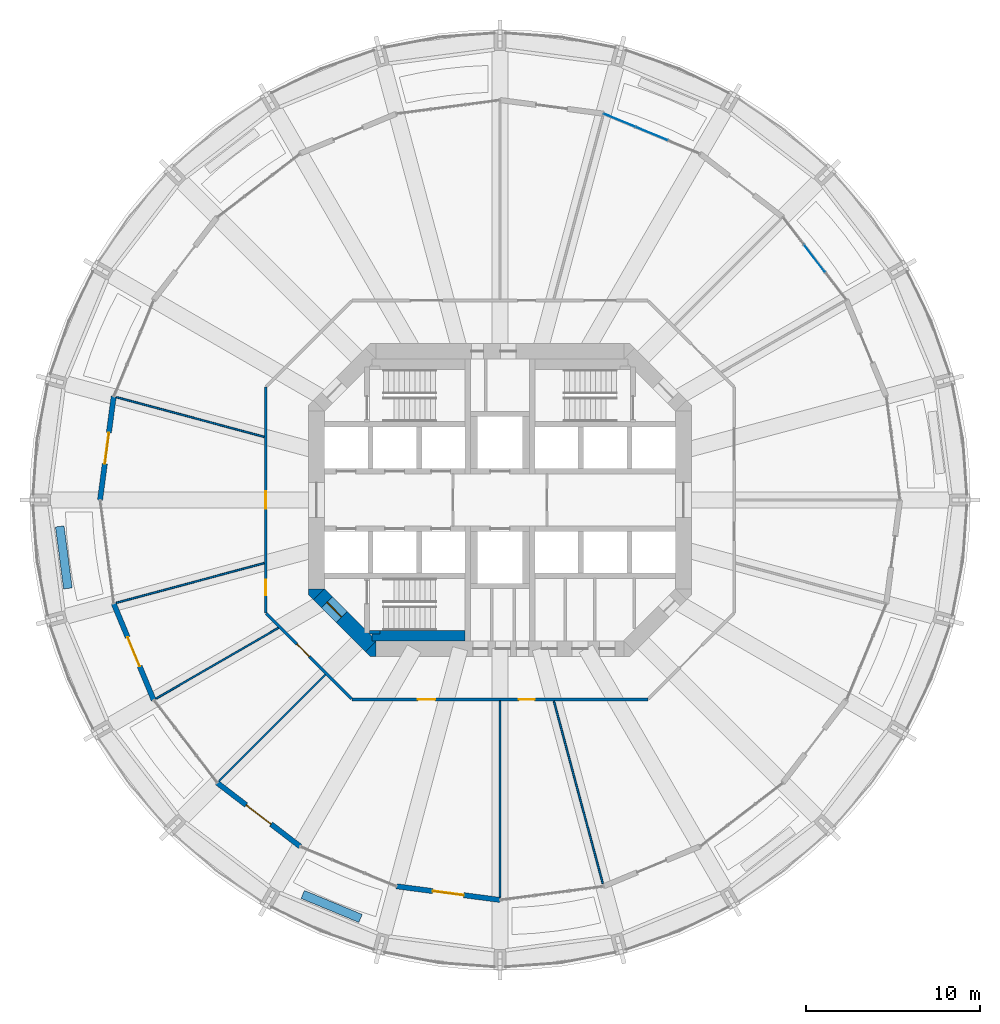
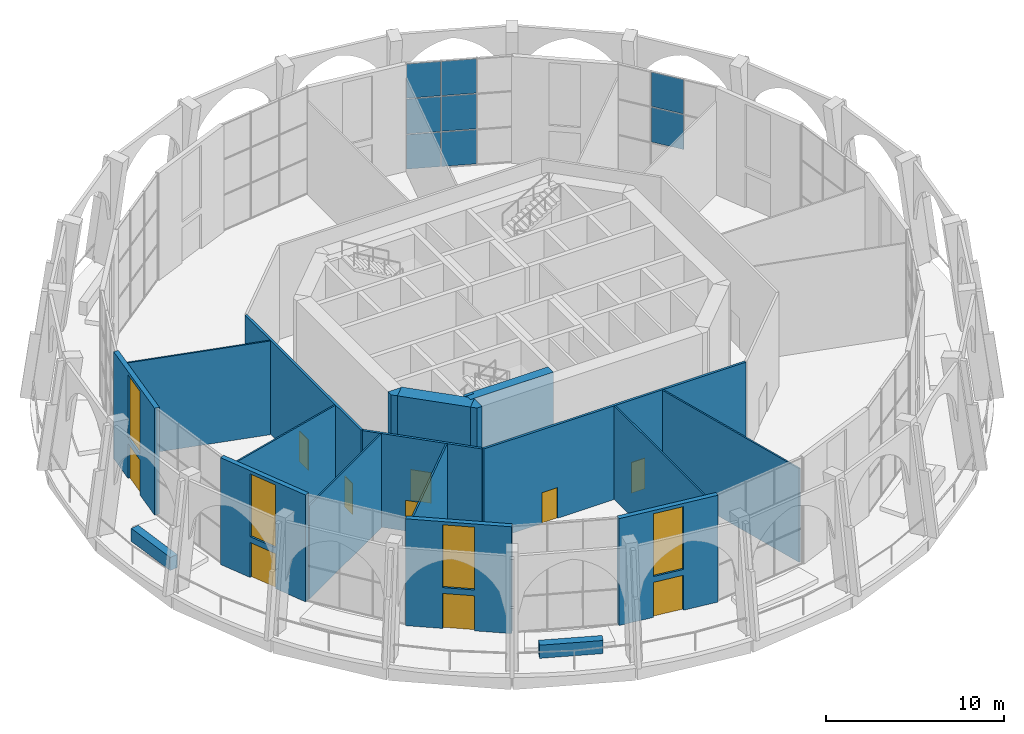
# One storey, part 12 of 19: 20 walls, 10 doors, 8 plates, 4 windows, 14 openings, 2 elements without a shape of their own.
"""IFC4 building model written with IfcOpenShell, lengths in metres."""

from ifc_helpers import new_model, si_unit, direction, frame, frame_2d, origin, origin_2d, place, context, subcontext, project, spatial, polyline, rectangle, outline, extrude, material, layer, layer_set, type_object, element, fill, aggregate, save


model = new_model("IFC4")

# Units and contexts
model_context = context("Model", 3, precision=1e-05, world=origin(), true_north=direction((0.0, 1.0)))
body_context = subcontext(model_context, "Body", "Model", "MODEL_VIEW")
ifc_project = project(units=[si_unit("LENGTHUNIT", "METRE"), si_unit("AREAUNIT", "SQUARE_METRE"), si_unit("VOLUMEUNIT", "CUBIC_METRE"), si_unit("PLANEANGLEUNIT", "RADIAN"), si_unit("MASSUNIT", "GRAM", prefix="KILO")], contexts=[model_context])

# Site, building, storey
site_placement = place(None, origin())
site = spatial("IfcSite", under=ifc_project, at=site_placement, CompositionType="ELEMENT")
building_placement = place(site_placement, origin())
building = spatial("IfcBuilding", under=site, at=building_placement, Name="Torre Triforio", CompositionType="ELEMENT")
storey_placement = place(building_placement, frame((0.0, 0.0, 79.0)))
storey = spatial("IfcBuildingStorey", under=building, at=storey_placement, Name="L17", CompositionType="ELEMENT", Elevation=79.0)

# Curtain wall, plates
ifc_material_1 = material(Name="Aluminium mullion and transom frame with clear laminated glass", Category="aluminium")
curtain_wall_type = type_object("IfcCurtainWallType", Name="Sky garden conservatory wall ECW3", PredefinedType="NOTDEFINED", material=ifc_material_1)
curtain_wall_1_placement = place(storey_placement, origin())
curtain_wall_1 = element("IfcCurtainWall", 1, at=curtain_wall_1_placement, inside=storey, type_object=curtain_wall_type, Name="Conservatory wall L17 bay 03", PredefinedType="NOTDEFINED")
ifc_material_2 = material(Name="Clear laminated glass", Category="glass")
ifc_layer_1 = layer(ifc_material_2, 0.028076171875)
ifc_layer_set_1 = layer_set([ifc_layer_1], Name="Clear laminated glass")
plate_type = type_object("IfcPlateType", Name="ECW3 glass panel 28", PredefinedType="CURTAIN_PANEL", material=ifc_layer_set_1)
plate_1_placement = place(storey_placement, frame((18.091064453125, 13.8818359375, 2.469970703125), z_axis=(0.0, 0.0, 1.0), x_axis=(-0.608752412461, 0.79336025885, 0.0)))
plate_1 = element("IfcPlate", 2, at=plate_1_placement, type_object=plate_type, Name="ECW3 panel 2.2", PredefinedType="CURTAIN_PANEL", context=body_context, shape_type="SweptSolid", body=[
    extrude(rectangle(XDim=1.96142578125, YDim=0.028076171875, at=origin_2d()), origin(), (0.0, 0.0, 1.0), 2.3798828125),
])
plate_2_placement = place(storey_placement, frame((18.091064453125, 13.8818359375, 4.909912109375), z_axis=(0.0, 0.0, 1.0), x_axis=(-0.608752412461, 0.79336025885, 0.0)))
plate_2 = element("IfcPlate", 3, at=plate_2_placement, type_object=plate_type, Name="ECW3 panel 2.3", PredefinedType="CURTAIN_PANEL", context=body_context, shape_type="SweptSolid", body=[
    extrude(rectangle(XDim=1.96142578125, YDim=0.028076171875, at=origin_2d()), origin(), (0.0, 0.0, 1.0), 2.35009765625),
])
aggregate(curtain_wall_1, [plate_1, plate_2])

curtain_wall_2_placement = place(storey_placement, origin())
curtain_wall_2 = element("IfcCurtainWall", 4, at=curtain_wall_2_placement, inside=storey, type_object=curtain_wall_type, Name="Conservatory wall L17 bay 05", PredefinedType="NOTDEFINED")
plate_3_placement = place(storey_placement, frame((8.726318359375, 21.0673828125, 0.06005859375), z_axis=(0.0, 0.0, 1.0), x_axis=(-0.923877952799, 0.382687246105, 0.0)))
plate_3 = element("IfcPlate", 5, at=plate_3_placement, type_object=plate_type, Name="ECW3 panel 2.1", PredefinedType="CURTAIN_PANEL", context=body_context, shape_type="SweptSolid", body=[
    extrude(rectangle(XDim=1.96142578125, YDim=0.028076171875, at=origin_2d()), origin(), (0.0, 0.0, 1.0), 2.35009765625),
])
plate_4_placement = place(storey_placement, frame((8.726318359375, 21.0673828125, 2.469970703125), z_axis=(0.0, 0.0, 1.0), x_axis=(-0.923877952799, 0.382687246105, 0.0)))
plate_4 = element("IfcPlate", 6, at=plate_4_placement, type_object=plate_type, Name="ECW3 panel 2.2", PredefinedType="CURTAIN_PANEL", context=body_context, shape_type="SweptSolid", body=[
    extrude(rectangle(XDim=1.96142578125, YDim=0.028076171875, at=origin_2d()), origin(), (0.0, 0.0, 1.0), 2.3798828125),
])
plate_5_placement = place(storey_placement, frame((8.726318359375, 21.0673828125, 4.909912109375), z_axis=(0.0, 0.0, 1.0), x_axis=(-0.923877952799, 0.382687246105, 0.0)))
plate_5 = element("IfcPlate", 7, at=plate_5_placement, type_object=plate_type, Name="ECW3 panel 2.3", PredefinedType="CURTAIN_PANEL", context=body_context, shape_type="SweptSolid", body=[
    extrude(rectangle(XDim=1.96142578125, YDim=0.028076171875, at=origin_2d()), origin(), (0.0, 0.0, 1.0), 2.35009765625),
])
plate_6_placement = place(storey_placement, frame((6.872802734375, 21.835205078125, 0.06005859375), z_axis=(0.0, 0.0, 1.0), x_axis=(-0.923877952799, 0.382687246105, 0.0)))
plate_6 = element("IfcPlate", 8, at=plate_6_placement, type_object=plate_type, Name="ECW3 panel 3.1", PredefinedType="CURTAIN_PANEL", context=body_context, shape_type="SweptSolid", body=[
    extrude(rectangle(XDim=1.931396484375, YDim=0.028076171875, at=origin_2d()), origin(), (0.0, 0.0, 1.0), 2.35009765625),
])
plate_7_placement = place(storey_placement, frame((6.872802734375, 21.835205078125, 2.469970703125), z_axis=(0.0, 0.0, 1.0), x_axis=(-0.923877952799, 0.382687246105, 0.0)))
plate_7 = element("IfcPlate", 9, at=plate_7_placement, type_object=plate_type, Name="ECW3 panel 3.2", PredefinedType="CURTAIN_PANEL", context=body_context, shape_type="SweptSolid", body=[
    extrude(rectangle(XDim=1.931396484375, YDim=0.028076171875, at=origin_2d()), origin(), (0.0, 0.0, 1.0), 2.3798828125),
])
plate_8_placement = place(storey_placement, frame((6.872802734375, 21.835205078125, 4.909912109375), z_axis=(0.0, 0.0, 1.0), x_axis=(-0.923877952799, 0.382687246105, 0.0)))
plate_8 = element("IfcPlate", 10, at=plate_8_placement, type_object=plate_type, Name="ECW3 panel 3.3", PredefinedType="CURTAIN_PANEL", context=body_context, shape_type="SweptSolid", body=[
    extrude(rectangle(XDim=1.931396484375, YDim=0.028076171875, at=origin_2d()), origin(), (0.0, 0.0, 1.0), 2.35009765625),
])
aggregate(curtain_wall_2, [plate_3, plate_4, plate_5, plate_6, plate_7, plate_8])

# Wall, opening, door
ifc_material_3 = material(Name="Concrete C60", Category="concrete")
ifc_layer_2 = layer(ifc_material_3, 0.89990234375)
ifc_layer_set_2 = layer_set([ifc_layer_2], Name="Concrete C60")
wall_type_1 = type_object("IfcWallType", Name="Core wall 900 mm C60 EI 120", PredefinedType="SHEAR", material=ifc_layer_set_2)
wall_1_placement = place(storey_placement, frame((-7.418212890625, -8.418212890625, -0.280029296875), z_axis=(0.0, 0.0, 1.0), x_axis=(-0.707106781187, 0.707106781187, 0.0)))
wall_1 = element("IfcWall", 11, at=wall_1_placement, inside=storey, type_object=wall_type_1, Name="Core wall", PredefinedType="SHEAR", context=body_context, shape_type="SweptSolid", body=[
    extrude(rectangle(XDim=4.24267578125, YDim=0.89990234375, at=frame_2d((2.121337890625, 0.0))), origin(), (0.0, 0.0, 1.0), 7.60009765625),
])
opening_1_placement = place(wall_1_placement, frame((2.392578125, 0.0, 0.280029296875)))
opening_1 = element("IfcOpeningElement", 12, at=opening_1_placement, cuts=wall_1, Name="Opening ST3-EXIT", PredefinedType="OPENING", context=body_context, shape_type="SweptSolid", body=[
    extrude(rectangle(XDim=1.199951171875, YDim=2.10009765625, at=frame_2d((0.60009765625, 1.050048828125))), frame((0.0, 0.4599609375, 0.0), z_axis=(0.0, -1.0, 0.0), x_axis=(1.0, 0.0, 0.0)), (0.0, 0.0, 1.0), 0.919921875),
])
ifc_material_4 = material(Name="Hollow metal fire door leaf")
door_type_1 = type_object("IfcDoorType", Name="Stair lobby door 1200 x 2100 EI 60", OperationType="NOTDEFINED", PredefinedType="DOOR", material=ifc_material_4)
door_1_placement = place(opening_1_placement, origin())
door_1 = element("IfcDoor", 13, at=door_1_placement, inside=storey, type_object=door_type_1, Name="Core door ST3-EXIT", OperationType="SINGLE_SWING_RIGHT", OverallHeight=2.10009765625, OverallWidth=1.199951171875, PredefinedType="DOOR", context=body_context, shape_type="SweptSolid", body=[
    extrude(rectangle(XDim=1.199951171875, YDim=2.10009765625, at=frame_2d((0.60009765625, 1.050048828125))), frame((0.0, 0.02490234375, 0.0), z_axis=(0.0, -1.0, 0.0), x_axis=(1.0, 0.0, 0.0)), (0.0, 0.0, 1.0), 0.050048828125),
])
fill(opening_1, door_1)

# Walls
wall_2_placement = place(storey_placement, frame((0.0, 0.0, -0.280029296875)))
element("IfcWall", 14, at=wall_2_placement, inside=storey, type_object=wall_type_1, Name="Core wall", PredefinedType="SHEAR", context=body_context, shape_type="SweptSolid", body=[
    extrude(outline(polyline([(-7.472900390625, -9.0), (-7.736328125, -8.736328125), (-7.1298828125, -8.1298828125), (-7.1298828125, -9.0), (-7.472900390625, -9.0)])), origin(), (0.0, 0.0, 1.0), 7.60009765625),
])
wall_3_placement = place(storey_placement, frame((0.0, 0.0, -0.280029296875)))
element("IfcWall", 15, at=wall_3_placement, inside=storey, type_object=wall_type_1, Name="Core wall", PredefinedType="SHEAR", context=body_context, shape_type="SweptSolid", body=[
    extrude(outline(polyline([(-11.0, -5.472900390625), (-11.0, -5.1298828125), (-10.1298828125, -5.1298828125), (-10.736328125, -5.736328125), (-11.0, -5.472900390625)])), origin(), (0.0, 0.0, 1.0), 7.60009765625),
])

# Wall, openings, doors
ifc_material_5 = material(Name="Plasterboard on metal studs")
ifc_layer_3 = layer(ifc_material_5, 0.14990234375)
ifc_layer_set_3 = layer_set([ifc_layer_3], Name="Plasterboard on metal studs")
wall_type_2 = type_object("IfcWallType", Name="Corridor and tenancy wall 150 mm EI 60", PredefinedType="PARTITIONING", material=ifc_layer_set_3)
wall_4_placement = place(storey_placement, frame((8.498046875, -11.47509765625, 0.0), z_axis=(0.0, 0.0, 1.0), x_axis=(-1.0, 0.0, 0.0)))
wall_4 = element("IfcWall", 16, at=wall_4_placement, inside=storey, type_object=wall_type_2, Name="Partition 2", PredefinedType="PARTITIONING", context=body_context, shape_type="SweptSolid", body=[
    extrude(rectangle(XDim=16.99609375, YDim=0.14990234375, at=frame_2d((8.498046875, 0.0))), origin(), (0.0, 0.0, 1.0), 6.419921875),
])
opening_2_placement = place(wall_4_placement, frame((12.221923828125, 0.0, 0.0)))
opening_2 = element("IfcOpeningElement", 17, at=opening_2_placement, cuts=wall_4, Name="Opening G1-09", PredefinedType="OPENING", context=body_context, shape_type="SweptSolid", body=[
    extrude(rectangle(XDim=1.0, YDim=2.10009765625, at=frame_2d((0.5, 1.050048828125))), frame((0.0, 0.0849609375, 0.0), z_axis=(0.0, -1.0, 0.0), x_axis=(1.0, 0.0, 0.0)), (0.0, 0.0, 1.0), 0.169921875),
])
opening_3_placement = place(wall_4_placement, frame((6.509765625, 0.0, 0.0)))
opening_3 = element("IfcOpeningElement", 18, at=opening_3_placement, cuts=wall_4, Name="Opening G1-10", PredefinedType="OPENING", context=body_context, shape_type="SweptSolid", body=[
    extrude(rectangle(XDim=0.89990234375, YDim=2.10009765625, at=frame_2d((0.449951171875, 1.050048828125))), frame((0.0, 0.0849609375, 0.0), z_axis=(0.0, -1.0, 0.0), x_axis=(1.0, 0.0, 0.0)), (0.0, 0.0, 1.0), 0.169921875),
])
ifc_material_6 = material(Name="Timber", Category="wood")
door_type_2 = type_object("IfcDoorType", Name="Door 1000 x 2100 single leaf EI 30", OperationType="NOTDEFINED", PredefinedType="DOOR", material=ifc_material_6)
door_2_placement = place(opening_2_placement, origin())
door_2 = element("IfcDoor", 19, at=door_2_placement, inside=storey, type_object=door_type_2, Name="Door G1-09", OperationType="SINGLE_SWING_LEFT", OverallHeight=2.10009765625, OverallWidth=1.0, PredefinedType="DOOR", context=body_context, shape_type="SweptSolid", body=[
    extrude(rectangle(XDim=1.0, YDim=2.10009765625, at=frame_2d((0.5, 1.050048828125))), frame((0.0, 0.02490234375, 0.0), z_axis=(0.0, -1.0, 0.0), x_axis=(1.0, 0.0, 0.0)), (0.0, 0.0, 1.0), 0.050048828125),
])
fill(opening_2, door_2)
door_type_3 = type_object("IfcDoorType", Name="Door 900 x 2100 single leaf EI 30", OperationType="NOTDEFINED", PredefinedType="DOOR", material=ifc_material_6)
door_3_placement = place(opening_3_placement, origin())
door_3 = element("IfcDoor", 20, at=door_3_placement, inside=storey, type_object=door_type_3, Name="Door G1-10", OperationType="SINGLE_SWING_RIGHT", OverallHeight=2.10009765625, OverallWidth=0.89990234375, PredefinedType="DOOR", context=body_context, shape_type="SweptSolid", body=[
    extrude(rectangle(XDim=0.89990234375, YDim=2.10009765625, at=frame_2d((0.449951171875, 1.050048828125))), frame((0.0, 0.02490234375, 0.0), z_axis=(0.0, -1.0, 0.0), x_axis=(1.0, 0.0, 0.0)), (0.0, 0.0, 1.0), 0.050048828125),
])
fill(opening_3, door_3)

# Wall, opening, door
wall_5_placement = place(storey_placement, frame((-8.53515625, -11.43798828125, 0.0), z_axis=(0.0, 0.0, 1.0), x_axis=(-0.707106781187, 0.707106781187, 0.0)))
wall_5 = element("IfcWall", 21, at=wall_5_placement, inside=storey, type_object=wall_type_2, Name="Partition 3", PredefinedType="PARTITIONING", context=body_context, shape_type="SweptSolid", body=[
    extrude(rectangle(XDim=6.93359375, YDim=0.14990234375, at=frame_2d((3.466796875, 0.0))), origin(), (0.0, 0.0, 1.0), 6.419921875),
])
opening_4_placement = place(wall_5_placement, frame((3.445556640625, 0.0, 0.0)))
opening_4 = element("IfcOpeningElement", 22, at=opening_4_placement, cuts=wall_5, Name="Opening G1-08", PredefinedType="OPENING", context=body_context, shape_type="SweptSolid", body=[
    extrude(rectangle(XDim=1.0, YDim=2.10009765625, at=frame_2d((0.5, 1.050048828125))), frame((0.0, 0.0849609375, 0.0), z_axis=(0.0, -1.0, 0.0), x_axis=(1.0, 0.0, 0.0)), (0.0, 0.0, 1.0), 0.169921875),
])
door_4_placement = place(opening_4_placement, origin())
door_4 = element("IfcDoor", 23, at=door_4_placement, inside=storey, type_object=door_type_2, Name="Door G1-08", OperationType="SINGLE_SWING_LEFT", OverallHeight=2.10009765625, OverallWidth=1.0, PredefinedType="DOOR", context=body_context, shape_type="SweptSolid", body=[
    extrude(rectangle(XDim=1.0, YDim=2.10009765625, at=frame_2d((0.5, 1.050048828125))), frame((0.0, 0.02490234375, 0.0), z_axis=(0.0, -1.0, 0.0), x_axis=(1.0, 0.0, 0.0)), (0.0, 0.0, 1.0), 0.050048828125),
])
fill(opening_4, door_4)

# Wall, openings, doors
wall_6_placement = place(storey_placement, frame((-13.47509765625, -6.498046875, 0.0), z_axis=(0.0, 0.0, 1.0), x_axis=(0.0, 1.0, 0.0)))
wall_6 = element("IfcWall", 24, at=wall_6_placement, inside=storey, type_object=wall_type_2, Name="Partition 4", PredefinedType="PARTITIONING", context=body_context, shape_type="SweptSolid", body=[
    extrude(rectangle(XDim=12.99609375, YDim=0.14990234375, at=frame_2d((6.498046875, 0.0))), origin(), (0.0, 0.0, 1.0), 6.419921875),
])
opening_5_placement = place(wall_6_placement, frame((5.998046875, 0.0, 0.0)))
opening_5 = element("IfcOpeningElement", 25, at=opening_5_placement, cuts=wall_6, Name="Opening G1-06", PredefinedType="OPENING", context=body_context, shape_type="SweptSolid", body=[
    extrude(rectangle(XDim=1.0, YDim=2.10009765625, at=frame_2d((0.5, 1.050048828125))), frame((0.0, 0.0849609375, 0.0), z_axis=(0.0, -1.0, 0.0), x_axis=(1.0, 0.0, 0.0)), (0.0, 0.0, 1.0), 0.169921875),
])
opening_6_placement = place(wall_6_placement, frame((1.018798828125, 0.0, 0.0)))
opening_6 = element("IfcOpeningElement", 26, at=opening_6_placement, cuts=wall_6, Name="Opening G1-07", PredefinedType="OPENING", context=body_context, shape_type="SweptSolid", body=[
    extrude(rectangle(XDim=0.89990234375, YDim=2.10009765625, at=frame_2d((0.449951171875, 1.050048828125))), frame((0.0, 0.0849609375, 0.0), z_axis=(0.0, -1.0, 0.0), x_axis=(1.0, 0.0, 0.0)), (0.0, 0.0, 1.0), 0.169921875),
])
door_5_placement = place(opening_5_placement, origin())
door_5 = element("IfcDoor", 27, at=door_5_placement, inside=storey, type_object=door_type_2, Name="Door G1-06", OperationType="SINGLE_SWING_LEFT", OverallHeight=2.10009765625, OverallWidth=1.0, PredefinedType="DOOR", context=body_context, shape_type="SweptSolid", body=[
    extrude(rectangle(XDim=1.0, YDim=2.10009765625, at=frame_2d((0.5, 1.050048828125))), frame((0.0, 0.02490234375, 0.0), z_axis=(0.0, -1.0, 0.0), x_axis=(1.0, 0.0, 0.0)), (0.0, 0.0, 1.0), 0.050048828125),
])
fill(opening_5, door_5)
door_6_placement = place(opening_6_placement, origin())
door_6 = element("IfcDoor", 28, at=door_6_placement, inside=storey, type_object=door_type_3, Name="Door G1-07", OperationType="SINGLE_SWING_LEFT", OverallHeight=2.10009765625, OverallWidth=0.89990234375, PredefinedType="DOOR", context=body_context, shape_type="SweptSolid", body=[
    extrude(rectangle(XDim=0.89990234375, YDim=2.10009765625, at=frame_2d((0.449951171875, 1.050048828125))), frame((0.0, 0.02490234375, 0.0), z_axis=(0.0, -1.0, 0.0), x_axis=(1.0, 0.0, 0.0)), (0.0, 0.0, 1.0), 0.050048828125),
])
fill(opening_6, door_6)

# Walls
ifc_layer_4 = layer(ifc_material_5, 0.10009765625)
ifc_layer_set_4 = layer_set([ifc_layer_4], Name="Plasterboard on metal studs")
wall_type_3 = type_object("IfcWallType", Name="Partition 100 mm board on metal studs", PredefinedType="PARTITIONING", material=ifc_layer_set_4)
for number, where, z_axis, x_axis, name in (
    (29, (-13.564208984375, 3.634521484375, 0.0), (0.0, 0.0, 1.0), (-0.965924134536, 0.25882535873, 0.0), "Partition 14"),
    (30, (-13.564208984375, -3.634521484375, 0.0), (0.0, 0.0, 1.0), (-0.965924134536, -0.25882535873, 0.0), "Partition 15"),
):
    element("IfcWall", number, at=place(storey_placement, frame(where, z_axis=z_axis, x_axis=x_axis)), inside=storey, type_object=wall_type_3, Name=name, PredefinedType="PARTITIONING", context=body_context, shape_type="SweptSolid", body=[
        extrude(rectangle(XDim=8.7939453125, YDim=0.10009765625, at=frame_2d((4.39697265625, 0.0))), origin(), (0.0, 0.0, 1.0), 6.419921875),
    ])
wall_7_placement = place(storey_placement, frame((-12.742431640625, -7.35693359375, 0.0), z_axis=(0.0, 0.0, 1.0), x_axis=(-0.866022418986, -0.500005169787, 0.0)))
element("IfcWall", 31, at=wall_7_placement, inside=storey, type_object=wall_type_3, Name="Partition 16", PredefinedType="PARTITIONING", context=body_context, shape_type="SweptSolid", body=[
    extrude(rectangle(XDim=8.123046875, YDim=0.10009765625, at=frame_2d((4.0615234375, 0.0))), origin(), (0.0, 0.0, 1.0), 6.419921875),
])
wall_8_placement = place(storey_placement, frame((-10.03955078125, -10.03955078125, 0.0), z_axis=(0.0, 0.0, 1.0), x_axis=(-0.707106781187, -0.707106781187, 0.0)))
element("IfcWall", 32, at=wall_8_placement, inside=storey, type_object=wall_type_3, Name="Partition 17", PredefinedType="PARTITIONING", context=body_context, shape_type="SweptSolid", body=[
    extrude(rectangle(XDim=8.638671875, YDim=0.10009765625, at=frame_2d((4.3193359375, 0.0))), origin(), (0.0, 0.0, 1.0), 6.419921875),
])
wall_9_placement = place(storey_placement, frame((0.0, -11.550048828125, 0.0), z_axis=(0.0, 0.0, 1.0), x_axis=(0.0, -1.0, 0.0)))
element("IfcWall", 33, at=wall_9_placement, inside=storey, type_object=wall_type_3, Name="Partition 18", PredefinedType="PARTITIONING", context=body_context, shape_type="SweptSolid", body=[
    extrude(rectangle(XDim=11.28662109375, YDim=0.10009765625, at=frame_2d((5.643310546875, 0.0))), origin(), (0.0, 0.0, 1.0), 6.419921875),
])
wall_10_placement = place(storey_placement, frame((3.0986328125, -11.564208984375, 0.0), z_axis=(0.0, 0.0, 1.0), x_axis=(0.258823321379, -0.965924680454, 0.0)))
element("IfcWall", 34, at=wall_10_placement, inside=storey, type_object=wall_type_3, Name="Partition 19", PredefinedType="PARTITIONING", context=body_context, shape_type="SweptSolid", body=[
    extrude(rectangle(XDim=10.864501953125, YDim=0.10009765625, at=frame_2d((5.43212890625, 0.0))), origin(), (0.0, 0.0, 1.0), 6.419921875),
])
ifc_material_7 = material(Name="Limestone cladding", Category="masonry")
ifc_layer_5 = layer(ifc_material_7, 0.10009765625)
ifc_material_8 = material(Name="Concrete C40", Category="concrete")
ifc_layer_6 = layer(ifc_material_8, 0.39990234375)
ifc_layer_set_5 = layer_set([ifc_layer_5, ifc_layer_6], Name="Limestone cladding / Concrete C40")
wall_type_4 = type_object("IfcWallType", Name="Planter wall 500", PredefinedType="PARAPET", material=ifc_layer_set_5)
for number, where, z_axis, x_axis, name in (
    (35, (-25.318603515625, -1.517578125, 0.0), (0.0, 0.0, 1.0), (0.130542222659, -0.991442750795, 0.0), "Planter L17 bay 13"),
    (36, (-11.344970703125, -22.685302734375, 0.0), (0.0, 0.0, 1.0), (0.923885420167, -0.382669217998, 0.0), "Planter L17 bay 17"),
):
    element("IfcWall", number, at=place(storey_placement, frame(where, z_axis=z_axis, x_axis=x_axis)), inside=storey, type_object=wall_type_4, Name=name, PredefinedType="PARAPET", context=body_context, shape_type="SweptSolid", body=[
        extrude(rectangle(XDim=3.60009765625, YDim=0.5, at=frame_2d((1.800048828125, 0.0))), origin(), (0.0, 0.0, 1.0), 0.89990234375),
    ])
ifc_layer_7 = layer(ifc_material_3, 0.199951171875)
ifc_layer_set_6 = layer_set([ifc_layer_7], Name="Concrete C60")
wall_type_5 = type_object("IfcWallType", Name="Stair wall 200 mm C60 EI 120", PredefinedType="SHEAR", material=ifc_layer_set_6)
wall_11_placement = place(storey_placement, frame((-7.5, -7.60009765625, 0.0), z_axis=(0.0, 0.0, 1.0), x_axis=(1.0, 0.0, 0.0)))
element("IfcWall", 37, at=wall_11_placement, inside=storey, type_object=wall_type_5, Name="Stair wall", PredefinedType="SHEAR", context=body_context, shape_type="SweptSolid", body=[
    extrude(rectangle(XDim=0.60009765625, YDim=0.199951171875, at=frame_2d((0.300048828125, 0.0))), origin(), (0.0, 0.0, 1.0), 7.320068359375),
])
ifc_layer_8 = layer(ifc_material_3, 0.60009765625)
ifc_layer_set_7 = layer_set([ifc_layer_8], Name="Concrete C60")
wall_type_6 = type_object("IfcWallType", Name="Stair wall 600 mm C60 EI 120", PredefinedType="SHEAR", material=ifc_layer_set_7)
wall_12_placement = place(storey_placement, frame((-7.3701171875, -7.800048828125, 0.0), z_axis=(0.0, 0.0, 1.0), x_axis=(1.0, 0.0, 0.0)))
element("IfcWall", 38, at=wall_12_placement, inside=storey, type_object=wall_type_6, Name="Stair wall", PredefinedType="SHEAR", context=body_context, shape_type="SweptSolid", body=[
    extrude(rectangle(XDim=5.3701171875, YDim=0.60009765625, at=frame_2d((2.68505859375, 0.0))), origin(), (0.0, 0.0, 1.0), 7.320068359375),
])

# Wall, openings, window, door
ifc_layer_9 = layer(ifc_material_7, 0.10009765625)
ifc_layer_10 = layer(ifc_material_8, 0.199951171875)
ifc_layer_set_8 = layer_set([ifc_layer_9, ifc_layer_10], Name="Limestone cladding / Concrete C40")
wall_type_7 = type_object("IfcWallType", Name="Stone-faced composite wall 300", PredefinedType="STANDARD", material=ifc_layer_set_8)
wall_13_placement = place(storey_placement, frame((-22.21630859375, 5.952880859375, 0.0), z_axis=(0.0, 0.0, 1.0), x_axis=(-0.130522880875, -0.991445297315, 0.0)))
wall_13 = element("IfcWall", 39, at=wall_13_placement, inside=storey, type_object=wall_type_7, Name="External wall L17 bay 12", PredefinedType="STANDARD", context=body_context, shape_type="SweptSolid", body=[
    extrude(rectangle(XDim=6.004150390625, YDim=0.300048828125, at=frame_2d((3.001953125, 0.0))), origin(), (0.0, 0.0, 1.0), 7.320068359375),
])
opening_7_placement = place(wall_13_placement, frame((2.10205078125, 0.0, 0.0)))
opening_7 = element("IfcOpeningElement", 40, at=opening_7_placement, cuts=wall_13, Name="Opening G1-D12", PredefinedType="OPENING", context=body_context, shape_type="SweptSolid", body=[
    extrude(rectangle(XDim=1.800048828125, YDim=2.39990234375, at=frame_2d((0.89990234375, 1.199951171875))), frame((0.0, 0.159912109375, 0.0), z_axis=(0.0, -1.0, 0.0), x_axis=(1.0, 0.0, 0.0)), (0.0, 0.0, 1.0), 0.320068359375),
])
opening_8_placement = place(wall_13_placement, frame((2.10205078125, 0.0, 2.800048828125)))
opening_8 = element("IfcOpeningElement", 41, at=opening_8_placement, cuts=wall_13, Name="Opening G1-W12", PredefinedType="OPENING", context=body_context, shape_type="SweptSolid", body=[
    extrude(rectangle(XDim=1.800048828125, YDim=4.300048828125, at=frame_2d((0.89990234375, 2.14990234375))), frame((0.0, 0.159912109375, 0.0), z_axis=(0.0, -1.0, 0.0), x_axis=(1.0, 0.0, 0.0)), (0.0, 0.0, 1.0), 0.320068359375),
])
ifc_material_9 = material(Name="Aluminium frame with clear double glazing", Category="aluminium")
window_type = type_object("IfcWindowType", Name="Garden clerestory window 1800 x 4300", PartitioningType="DOUBLE_PANEL_VERTICAL", PredefinedType="WINDOW", material=ifc_material_9)
window_1_placement = place(opening_8_placement, origin())
window_1 = element("IfcWindow", 42, at=window_1_placement, inside=storey, type_object=window_type, Name="Clerestory EWN21 L17 bay 12", OverallHeight=4.300048828125, OverallWidth=1.800048828125, PartitioningType="SINGLE_PANEL", PredefinedType="WINDOW", context=body_context, shape_type="SweptSolid", body=[
    extrude(rectangle(XDim=1.800048828125, YDim=4.300048828125, at=frame_2d((0.89990234375, 2.14990234375))), frame((0.0, 0.030029296875, 0.0), z_axis=(0.0, -1.0, 0.0), x_axis=(1.0, 0.0, 0.0)), (0.0, 0.0, 1.0), 0.06005859375),
])
fill(opening_8, window_1)
door_type_4 = type_object("IfcDoorType", Name="Terrace double door 1800 x 2400", OperationType="DOUBLE_DOOR_SINGLE_SWING", PredefinedType="DOOR", material=ifc_material_9)
door_7_placement = place(opening_7_placement, origin())
door_7 = element("IfcDoor", 43, at=door_7_placement, inside=storey, type_object=door_type_4, Name="Terrace door L17 bay 12", OperationType="SINGLE_SWING_LEFT", OverallHeight=2.39990234375, OverallWidth=1.800048828125, PredefinedType="DOOR", context=body_context, shape_type="SweptSolid", body=[
    extrude(rectangle(XDim=1.800048828125, YDim=2.39990234375, at=frame_2d((0.89990234375, 1.199951171875))), frame((0.0, 0.02490234375, 0.0), z_axis=(0.0, -1.0, 0.0), x_axis=(1.0, 0.0, 0.0)), (0.0, 0.0, 1.0), 0.050048828125),
])
fill(opening_7, door_7)

wall_14_placement = place(storey_placement, frame((-22.21630859375, -5.952880859375, 0.0), z_axis=(0.0, 0.0, 1.0), x_axis=(0.382671411433, -0.923884511653, 0.0)))
wall_14 = element("IfcWall", 44, at=wall_14_placement, inside=storey, type_object=wall_type_7, Name="External wall L17 bay 14", PredefinedType="STANDARD", context=body_context, shape_type="SweptSolid", body=[
    extrude(rectangle(XDim=6.004150390625, YDim=0.300048828125, at=frame_2d((3.001953125, 0.0))), origin(), (0.0, 0.0, 1.0), 7.320068359375),
])
opening_9_placement = place(wall_14_placement, frame((2.10205078125, 0.0, 0.0)))
opening_9 = element("IfcOpeningElement", 45, at=opening_9_placement, cuts=wall_14, Name="Opening G1-D14", PredefinedType="OPENING", context=body_context, shape_type="SweptSolid", body=[
    extrude(rectangle(XDim=1.800048828125, YDim=2.39990234375, at=frame_2d((0.89990234375, 1.199951171875))), frame((0.0, 0.159912109375, 0.0), z_axis=(0.0, -1.0, 0.0), x_axis=(1.0, 0.0, 0.0)), (0.0, 0.0, 1.0), 0.320068359375),
])
opening_10_placement = place(wall_14_placement, frame((2.10205078125, 0.0, 2.800048828125)))
opening_10 = element("IfcOpeningElement", 46, at=opening_10_placement, cuts=wall_14, Name="Opening G1-W14", PredefinedType="OPENING", context=body_context, shape_type="SweptSolid", body=[
    extrude(rectangle(XDim=1.800048828125, YDim=4.300048828125, at=frame_2d((0.89990234375, 2.14990234375))), frame((0.0, 0.159912109375, 0.0), z_axis=(0.0, -1.0, 0.0), x_axis=(1.0, 0.0, 0.0)), (0.0, 0.0, 1.0), 0.320068359375),
])
window_2_placement = place(opening_10_placement, origin())
window_2 = element("IfcWindow", 47, at=window_2_placement, inside=storey, type_object=window_type, Name="Clerestory EWN21 L17 bay 14", OverallHeight=4.300048828125, OverallWidth=1.800048828125, PartitioningType="SINGLE_PANEL", PredefinedType="WINDOW", context=body_context, shape_type="SweptSolid", body=[
    extrude(rectangle(XDim=1.800048828125, YDim=4.300048828125, at=frame_2d((0.89990234375, 2.14990234375))), frame((0.0, 0.030029296875, 0.0), z_axis=(0.0, -1.0, 0.0), x_axis=(1.0, 0.0, 0.0)), (0.0, 0.0, 1.0), 0.06005859375),
])
fill(opening_10, window_2)
door_8_placement = place(opening_9_placement, origin())
door_8 = element("IfcDoor", 48, at=door_8_placement, inside=storey, type_object=door_type_4, Name="Terrace door L17 bay 14", OperationType="SINGLE_SWING_LEFT", OverallHeight=2.39990234375, OverallWidth=1.800048828125, PredefinedType="DOOR", context=body_context, shape_type="SweptSolid", body=[
    extrude(rectangle(XDim=1.800048828125, YDim=2.39990234375, at=frame_2d((0.89990234375, 1.199951171875))), frame((0.0, 0.02490234375, 0.0), z_axis=(0.0, -1.0, 0.0), x_axis=(1.0, 0.0, 0.0)), (0.0, 0.0, 1.0), 0.050048828125),
])
fill(opening_9, door_8)

wall_15_placement = place(storey_placement, frame((-16.263427734375, -16.263427734375, 0.0), z_axis=(0.0, 0.0, 1.0), x_axis=(0.793339924758, -0.608778912074, 0.0)))
wall_15 = element("IfcWall", 49, at=wall_15_placement, inside=storey, type_object=wall_type_7, Name="External wall L17 bay 16", PredefinedType="STANDARD", context=body_context, shape_type="SweptSolid", body=[
    extrude(rectangle(XDim=6.004150390625, YDim=0.300048828125, at=frame_2d((3.001953125, 0.0))), origin(), (0.0, 0.0, 1.0), 7.320068359375),
])
opening_11_placement = place(wall_15_placement, frame((2.10205078125, 0.0, 0.0)))
opening_11 = element("IfcOpeningElement", 50, at=opening_11_placement, cuts=wall_15, Name="Opening G1-D16", PredefinedType="OPENING", context=body_context, shape_type="SweptSolid", body=[
    extrude(rectangle(XDim=1.800048828125, YDim=2.39990234375, at=frame_2d((0.89990234375, 1.199951171875))), frame((0.0, 0.159912109375, 0.0), z_axis=(0.0, -1.0, 0.0), x_axis=(1.0, 0.0, 0.0)), (0.0, 0.0, 1.0), 0.320068359375),
])
opening_12_placement = place(wall_15_placement, frame((2.10205078125, 0.0, 2.800048828125)))
opening_12 = element("IfcOpeningElement", 51, at=opening_12_placement, cuts=wall_15, Name="Opening G1-W16", PredefinedType="OPENING", context=body_context, shape_type="SweptSolid", body=[
    extrude(rectangle(XDim=1.800048828125, YDim=4.300048828125, at=frame_2d((0.89990234375, 2.14990234375))), frame((0.0, 0.159912109375, 0.0), z_axis=(0.0, -1.0, 0.0), x_axis=(1.0, 0.0, 0.0)), (0.0, 0.0, 1.0), 0.320068359375),
])
window_3_placement = place(opening_12_placement, origin())
window_3 = element("IfcWindow", 52, at=window_3_placement, inside=storey, type_object=window_type, Name="Clerestory EWN21 L17 bay 16", OverallHeight=4.300048828125, OverallWidth=1.800048828125, PartitioningType="SINGLE_PANEL", PredefinedType="WINDOW", context=body_context, shape_type="SweptSolid", body=[
    extrude(rectangle(XDim=1.800048828125, YDim=4.300048828125, at=frame_2d((0.89990234375, 2.14990234375))), frame((0.0, 0.030029296875, 0.0), z_axis=(0.0, -1.0, 0.0), x_axis=(1.0, 0.0, 0.0)), (0.0, 0.0, 1.0), 0.06005859375),
])
fill(opening_12, window_3)
door_9_placement = place(opening_11_placement, origin())
door_9 = element("IfcDoor", 53, at=door_9_placement, inside=storey, type_object=door_type_4, Name="Terrace door L17 bay 16", OperationType="SINGLE_SWING_LEFT", OverallHeight=2.39990234375, OverallWidth=1.800048828125, PredefinedType="DOOR", context=body_context, shape_type="SweptSolid", body=[
    extrude(rectangle(XDim=1.800048828125, YDim=2.39990234375, at=frame_2d((0.89990234375, 1.199951171875))), frame((0.0, 0.02490234375, 0.0), z_axis=(0.0, -1.0, 0.0), x_axis=(1.0, 0.0, 0.0)), (0.0, 0.0, 1.0), 0.050048828125),
])
fill(opening_11, door_9)

wall_16_placement = place(storey_placement, frame((-5.952880859375, -22.21630859375, 0.0), z_axis=(0.0, 0.0, 1.0), x_axis=(0.991445297315, -0.130522880875, 0.0)))
wall_16 = element("IfcWall", 54, at=wall_16_placement, inside=storey, type_object=wall_type_7, Name="External wall L17 bay 18", PredefinedType="STANDARD", context=body_context, shape_type="SweptSolid", body=[
    extrude(rectangle(XDim=6.004150390625, YDim=0.300048828125, at=frame_2d((3.001953125, 0.0))), origin(), (0.0, 0.0, 1.0), 7.320068359375),
])
opening_13_placement = place(wall_16_placement, frame((2.10205078125, 0.0, 0.0)))
opening_13 = element("IfcOpeningElement", 55, at=opening_13_placement, cuts=wall_16, Name="Opening G1-D18", PredefinedType="OPENING", context=body_context, shape_type="SweptSolid", body=[
    extrude(rectangle(XDim=1.800048828125, YDim=2.39990234375, at=frame_2d((0.89990234375, 1.199951171875))), frame((0.0, 0.159912109375, 0.0), z_axis=(0.0, -1.0, 0.0), x_axis=(1.0, 0.0, 0.0)), (0.0, 0.0, 1.0), 0.320068359375),
])
opening_14_placement = place(wall_16_placement, frame((2.10205078125, 0.0, 2.800048828125)))
opening_14 = element("IfcOpeningElement", 56, at=opening_14_placement, cuts=wall_16, Name="Opening G1-W18", PredefinedType="OPENING", context=body_context, shape_type="SweptSolid", body=[
    extrude(rectangle(XDim=1.800048828125, YDim=4.300048828125, at=frame_2d((0.89990234375, 2.14990234375))), frame((0.0, 0.159912109375, 0.0), z_axis=(0.0, -1.0, 0.0), x_axis=(1.0, 0.0, 0.0)), (0.0, 0.0, 1.0), 0.320068359375),
])
window_4_placement = place(opening_14_placement, origin())
window_4 = element("IfcWindow", 57, at=window_4_placement, inside=storey, type_object=window_type, Name="Clerestory EWN21 L17 bay 18", OverallHeight=4.300048828125, OverallWidth=1.800048828125, PartitioningType="SINGLE_PANEL", PredefinedType="WINDOW", context=body_context, shape_type="SweptSolid", body=[
    extrude(rectangle(XDim=1.800048828125, YDim=4.300048828125, at=frame_2d((0.89990234375, 2.14990234375))), frame((0.0, 0.030029296875, 0.0), z_axis=(0.0, -1.0, 0.0), x_axis=(1.0, 0.0, 0.0)), (0.0, 0.0, 1.0), 0.06005859375),
])
fill(opening_14, window_4)
door_10_placement = place(opening_13_placement, origin())
door_10 = element("IfcDoor", 58, at=door_10_placement, inside=storey, type_object=door_type_4, Name="Terrace door L17 bay 18", OperationType="SINGLE_SWING_LEFT", OverallHeight=2.39990234375, OverallWidth=1.800048828125, PredefinedType="DOOR", context=body_context, shape_type="SweptSolid", body=[
    extrude(rectangle(XDim=1.800048828125, YDim=2.39990234375, at=frame_2d((0.89990234375, 1.199951171875))), frame((0.0, 0.02490234375, 0.0), z_axis=(0.0, -1.0, 0.0), x_axis=(1.0, 0.0, 0.0)), (0.0, 0.0, 1.0), 0.050048828125),
])
fill(opening_13, door_10)

save(model, "model.ifc")
